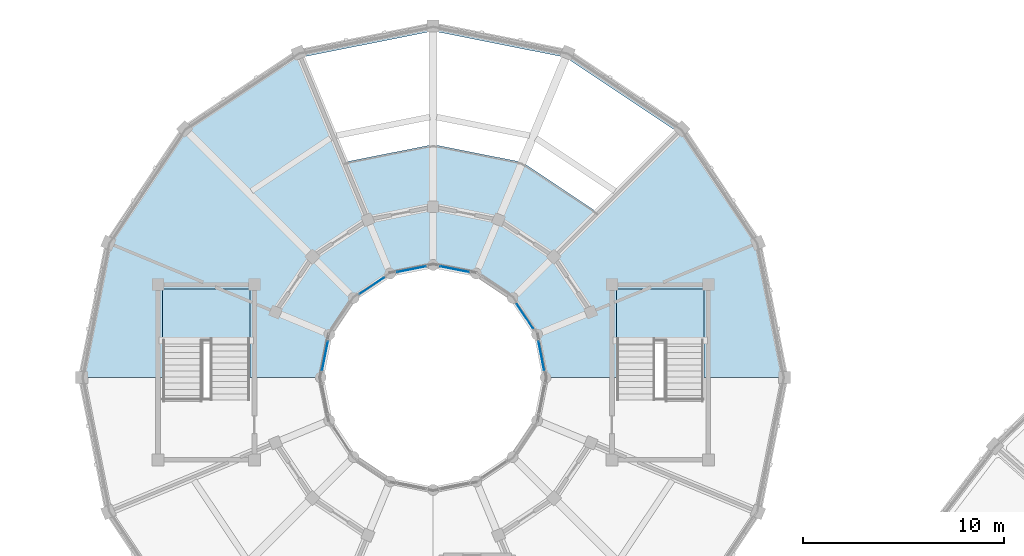
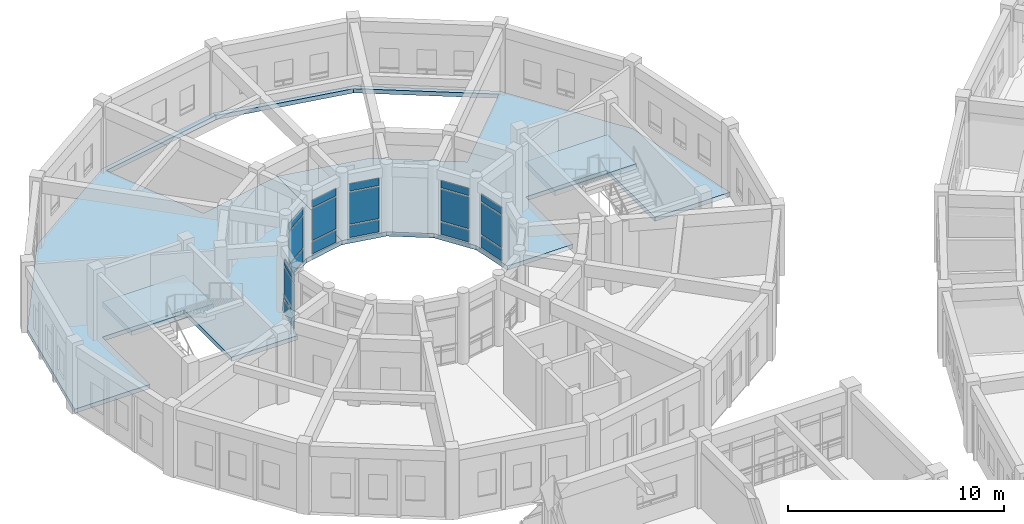
# One storey, part 110 of 159: 18 plates, 4 slabs, 8 elements without a shape of their own.
"""IFC4 building model written with IfcOpenShell, lengths in metres."""

from ifc_helpers import new_model, si_unit, direction, frame, origin, origin_2d, place, context, subcontext, project, spatial, polyline, rectangle, outline, extrude, material, layer, layer_set, type_object, element, aggregate, save


model = new_model("IFC4")

# Units and contexts
model_context = context("Model", 3, precision=1e-05, world=origin(), true_north=direction((0.0, 1.0)))
body_context = subcontext(model_context, "Body", "Model", "MODEL_VIEW")
ifc_project = project(units=[si_unit("LENGTHUNIT", "METRE"), si_unit("AREAUNIT", "SQUARE_METRE"), si_unit("VOLUMEUNIT", "CUBIC_METRE"), si_unit("PLANEANGLEUNIT", "RADIAN"), si_unit("MASSUNIT", "GRAM", prefix="KILO")], contexts=[model_context])

# Site, building, storey
site_placement = place(None, origin())
site = spatial("IfcSite", under=ifc_project, at=site_placement, CompositionType="ELEMENT")
building_placement = place(site_placement, origin())
building = spatial("IfcBuilding", under=site, at=building_placement, Name="Celadon Cloister-Ring School", CompositionType="ELEMENT")
storey_placement = place(building_placement, frame((0.0, 0.0, 4.5)))
storey = spatial("IfcBuildingStorey", under=building, at=storey_placement, Name="L01", CompositionType="ELEMENT", Elevation=4.5)

# Curtain wall, plates
ifc_material_1 = material(Name="Aluminium EN AW-6063 T6", Category="aluminium")
curtain_wall_type = type_object("IfcCurtainWallType", Name="CW-04", PredefinedType="USERDEFINED", material=ifc_material_1)
curtain_wall_1_placement = place(storey_placement, origin())
curtain_wall_1 = element("IfcCurtainWall", 1, at=curtain_wall_1_placement, inside=storey, type_object=curtain_wall_type, Name="Curtain Wall 0091", ObjectType="CURTAIN WALL", PredefinedType="USERDEFINED")
ifc_material_2 = material(Name="Tempered laminated insulating glass", Category="glass")
ifc_layer_1 = layer(ifc_material_2, 0.02001953125)
ifc_layer_set_1 = layer_set([ifc_layer_1], Name="Tempered laminated insulating glass")
plate_type = type_object("IfcPlateType", Name="CPN-01", PredefinedType="CURTAIN_PANEL", material=ifc_layer_set_1)
plate_1_placement = place(storey_placement, frame((25.5869140625, 98.071533203125, 0.090087890625), z_axis=(0.0, 0.0, 1.0), x_axis=(-0.194586131301, 0.980885435464, 0.0)))
plate_1 = element("IfcPlate", 2, at=plate_1_placement, type_object=plate_type, Name="CW-04 panel 1.1", PredefinedType="CURTAIN_PANEL", context=body_context, shape_type="SweptSolid", body=[
    extrude(rectangle(XDim=1.4443359375, YDim=0.02001953125, at=origin_2d()), origin(), (0.0, 0.0, 1.0), 0.6650390625),
])
plate_2_placement = place(storey_placement, frame((25.5869140625, 98.071533203125, 0.84521484375), z_axis=(0.0, 0.0, 1.0), x_axis=(-0.194586131301, 0.980885435464, 0.0)))
plate_2 = element("IfcPlate", 3, at=plate_2_placement, type_object=plate_type, Name="CW-04 panel 1.2", PredefinedType="CURTAIN_PANEL", context=body_context, shape_type="SweptSolid", body=[
    extrude(rectangle(XDim=1.4443359375, YDim=0.02001953125, at=origin_2d()), origin(), (0.0, 0.0, 1.0), 1.781982421875),
])
plate_3_placement = place(storey_placement, frame((25.5869140625, 98.071533203125, 2.717041015625), z_axis=(0.0, 0.0, 1.0), x_axis=(-0.194586131301, 0.980885435464, 0.0)))
plate_3 = element("IfcPlate", 4, at=plate_3_placement, type_object=plate_type, Name="CW-04 panel 1.3", PredefinedType="CURTAIN_PANEL", context=body_context, shape_type="SweptSolid", body=[
    extrude(rectangle(XDim=1.4443359375, YDim=0.02001953125, at=origin_2d()), origin(), (0.0, 0.0, 1.0), 0.4150390625),
])
aggregate(curtain_wall_1, [plate_1, plate_2, plate_3])

curtain_wall_2_placement = place(storey_placement, origin())
curtain_wall_2 = element("IfcCurtainWall", 5, at=curtain_wall_2_placement, inside=storey, type_object=curtain_wall_type, Name="Curtain Wall 0092", ObjectType="CURTAIN WALL", PredefinedType="USERDEFINED")
plate_4_placement = place(storey_placement, frame((24.76708984375, 100.051513671875, 0.090087890625), z_axis=(0.0, 0.0, 1.0), x_axis=(-0.555547066224, 0.831485091394, 0.0)))
plate_4 = element("IfcPlate", 6, at=plate_4_placement, type_object=plate_type, Name="CW-04 panel 1.1", PredefinedType="CURTAIN_PANEL", context=body_context, shape_type="SweptSolid", body=[
    extrude(rectangle(XDim=1.4443359375, YDim=0.02001953125, at=origin_2d()), origin(), (0.0, 0.0, 1.0), 0.6650390625),
])
plate_5_placement = place(storey_placement, frame((24.76708984375, 100.051513671875, 0.84521484375), z_axis=(0.0, 0.0, 1.0), x_axis=(-0.555547066224, 0.831485091394, 0.0)))
plate_5 = element("IfcPlate", 7, at=plate_5_placement, type_object=plate_type, Name="CW-04 panel 1.2", PredefinedType="CURTAIN_PANEL", context=body_context, shape_type="SweptSolid", body=[
    extrude(rectangle(XDim=1.4443359375, YDim=0.02001953125, at=origin_2d()), origin(), (0.0, 0.0, 1.0), 1.781982421875),
])
plate_6_placement = place(storey_placement, frame((24.76708984375, 100.051513671875, 2.717041015625), z_axis=(0.0, 0.0, 1.0), x_axis=(-0.555547066224, 0.831485091394, 0.0)))
plate_6 = element("IfcPlate", 8, at=plate_6_placement, type_object=plate_type, Name="CW-04 panel 1.3", PredefinedType="CURTAIN_PANEL", context=body_context, shape_type="SweptSolid", body=[
    extrude(rectangle(XDim=1.4443359375, YDim=0.02001953125, at=origin_2d()), origin(), (0.0, 0.0, 1.0), 0.4150390625),
])
aggregate(curtain_wall_2, [plate_4, plate_5, plate_6])

curtain_wall_3_placement = place(storey_placement, origin())
curtain_wall_3 = element("IfcCurtainWall", 9, at=curtain_wall_3_placement, inside=storey, type_object=curtain_wall_type, Name="Curtain Wall 0093", ObjectType="CURTAIN WALL", PredefinedType="USERDEFINED")
plate_7_placement = place(storey_placement, frame((21.271484375, 102.386962890625, 0.090087890625), z_axis=(0.0, 0.0, 1.0), x_axis=(-0.980885435464, 0.194586131301, 0.0)))
plate_7 = element("IfcPlate", 10, at=plate_7_placement, type_object=plate_type, Name="CW-04 panel 1.1", PredefinedType="CURTAIN_PANEL", context=body_context, shape_type="SweptSolid", body=[
    extrude(rectangle(XDim=1.4443359375, YDim=0.02001953125, at=origin_2d()), origin(), (0.0, 0.0, 1.0), 0.6650390625),
])
plate_8_placement = place(storey_placement, frame((21.271484375, 102.386962890625, 0.84521484375), z_axis=(0.0, 0.0, 1.0), x_axis=(-0.980885435464, 0.194586131301, 0.0)))
plate_8 = element("IfcPlate", 11, at=plate_8_placement, type_object=plate_type, Name="CW-04 panel 1.2", PredefinedType="CURTAIN_PANEL", context=body_context, shape_type="SweptSolid", body=[
    extrude(rectangle(XDim=1.4443359375, YDim=0.02001953125, at=origin_2d()), origin(), (0.0, 0.0, 1.0), 1.781982421875),
])
plate_9_placement = place(storey_placement, frame((21.271484375, 102.386962890625, 2.717041015625), z_axis=(0.0, 0.0, 1.0), x_axis=(-0.980885435464, 0.194586131301, 0.0)))
plate_9 = element("IfcPlate", 12, at=plate_9_placement, type_object=plate_type, Name="CW-04 panel 1.3", PredefinedType="CURTAIN_PANEL", context=body_context, shape_type="SweptSolid", body=[
    extrude(rectangle(XDim=1.4443359375, YDim=0.02001953125, at=origin_2d()), origin(), (0.0, 0.0, 1.0), 0.4150390625),
])
aggregate(curtain_wall_3, [plate_7, plate_8, plate_9])

curtain_wall_4_placement = place(storey_placement, origin())
curtain_wall_4 = element("IfcCurtainWall", 13, at=curtain_wall_4_placement, inside=storey, type_object=curtain_wall_type, Name="Curtain Wall 0094", ObjectType="CURTAIN WALL", PredefinedType="USERDEFINED")
plate_10_placement = place(storey_placement, frame((19.12841796875, 102.386962890625, 0.090087890625), z_axis=(0.0, 0.0, 1.0), x_axis=(-0.980885435464, -0.194586131301, 0.0)))
plate_10 = element("IfcPlate", 14, at=plate_10_placement, type_object=plate_type, Name="CW-04 panel 1.1", PredefinedType="CURTAIN_PANEL", context=body_context, shape_type="SweptSolid", body=[
    extrude(rectangle(XDim=1.4443359375, YDim=0.02001953125, at=origin_2d()), origin(), (0.0, 0.0, 1.0), 0.6650390625),
])
plate_11_placement = place(storey_placement, frame((19.12841796875, 102.386962890625, 0.84521484375), z_axis=(0.0, 0.0, 1.0), x_axis=(-0.980885435464, -0.194586131301, 0.0)))
plate_11 = element("IfcPlate", 15, at=plate_11_placement, type_object=plate_type, Name="CW-04 panel 1.2", PredefinedType="CURTAIN_PANEL", context=body_context, shape_type="SweptSolid", body=[
    extrude(rectangle(XDim=1.4443359375, YDim=0.02001953125, at=origin_2d()), origin(), (0.0, 0.0, 1.0), 1.781982421875),
])
plate_12_placement = place(storey_placement, frame((19.12841796875, 102.386962890625, 2.717041015625), z_axis=(0.0, 0.0, 1.0), x_axis=(-0.980885435464, -0.194586131301, 0.0)))
plate_12 = element("IfcPlate", 16, at=plate_12_placement, type_object=plate_type, Name="CW-04 panel 1.3", PredefinedType="CURTAIN_PANEL", context=body_context, shape_type="SweptSolid", body=[
    extrude(rectangle(XDim=1.4443359375, YDim=0.02001953125, at=origin_2d()), origin(), (0.0, 0.0, 1.0), 0.4150390625),
])
aggregate(curtain_wall_4, [plate_10, plate_11, plate_12])

curtain_wall_5_placement = place(storey_placement, origin())
curtain_wall_5 = element("IfcCurtainWall", 17, at=curtain_wall_5_placement, inside=storey, type_object=curtain_wall_type, Name="Curtain Wall 0095", ObjectType="CURTAIN WALL", PredefinedType="USERDEFINED")
plate_13_placement = place(storey_placement, frame((17.1484375, 101.56689453125, 0.090087890625), z_axis=(0.0, 0.0, 1.0), x_axis=(-0.831485091394, -0.555547066224, 0.0)))
plate_13 = element("IfcPlate", 18, at=plate_13_placement, type_object=plate_type, Name="CW-04 panel 1.1", PredefinedType="CURTAIN_PANEL", context=body_context, shape_type="SweptSolid", body=[
    extrude(rectangle(XDim=1.4443359375, YDim=0.02001953125, at=origin_2d()), origin(), (0.0, 0.0, 1.0), 0.6650390625),
])
plate_14_placement = place(storey_placement, frame((17.1484375, 101.56689453125, 0.84521484375), z_axis=(0.0, 0.0, 1.0), x_axis=(-0.831485091394, -0.555547066224, 0.0)))
plate_14 = element("IfcPlate", 19, at=plate_14_placement, type_object=plate_type, Name="CW-04 panel 1.2", PredefinedType="CURTAIN_PANEL", context=body_context, shape_type="SweptSolid", body=[
    extrude(rectangle(XDim=1.4443359375, YDim=0.02001953125, at=origin_2d()), origin(), (0.0, 0.0, 1.0), 1.781982421875),
])
plate_15_placement = place(storey_placement, frame((17.1484375, 101.56689453125, 2.717041015625), z_axis=(0.0, 0.0, 1.0), x_axis=(-0.831485091394, -0.555547066224, 0.0)))
plate_15 = element("IfcPlate", 20, at=plate_15_placement, type_object=plate_type, Name="CW-04 panel 1.3", PredefinedType="CURTAIN_PANEL", context=body_context, shape_type="SweptSolid", body=[
    extrude(rectangle(XDim=1.4443359375, YDim=0.02001953125, at=origin_2d()), origin(), (0.0, 0.0, 1.0), 0.4150390625),
])
aggregate(curtain_wall_5, [plate_13, plate_14, plate_15])

curtain_wall_6_placement = place(storey_placement, origin())
curtain_wall_6 = element("IfcCurtainWall", 21, at=curtain_wall_6_placement, inside=storey, type_object=curtain_wall_type, Name="Curtain Wall 0096", ObjectType="CURTAIN WALL", PredefinedType="USERDEFINED")
plate_16_placement = place(storey_placement, frame((14.81298828125, 98.071533203125, 0.090087890625), z_axis=(0.0, 0.0, 1.0), x_axis=(-0.194586131301, -0.980885435464, 0.0)))
plate_16 = element("IfcPlate", 22, at=plate_16_placement, type_object=plate_type, Name="CW-04 panel 1.1", PredefinedType="CURTAIN_PANEL", context=body_context, shape_type="SweptSolid", body=[
    extrude(rectangle(XDim=1.4443359375, YDim=0.02001953125, at=origin_2d()), origin(), (0.0, 0.0, 1.0), 0.6650390625),
])
plate_17_placement = place(storey_placement, frame((14.81298828125, 98.071533203125, 0.84521484375), z_axis=(0.0, 0.0, 1.0), x_axis=(-0.194586131301, -0.980885435464, 0.0)))
plate_17 = element("IfcPlate", 23, at=plate_17_placement, type_object=plate_type, Name="CW-04 panel 1.2", PredefinedType="CURTAIN_PANEL", context=body_context, shape_type="SweptSolid", body=[
    extrude(rectangle(XDim=1.4443359375, YDim=0.02001953125, at=origin_2d()), origin(), (0.0, 0.0, 1.0), 1.781982421875),
])
plate_18_placement = place(storey_placement, frame((14.81298828125, 98.071533203125, 2.717041015625), z_axis=(0.0, 0.0, 1.0), x_axis=(-0.194586131301, -0.980885435464, 0.0)))
plate_18 = element("IfcPlate", 24, at=plate_18_placement, type_object=plate_type, Name="CW-04 panel 1.3", PredefinedType="CURTAIN_PANEL", context=body_context, shape_type="SweptSolid", body=[
    extrude(rectangle(XDim=1.4443359375, YDim=0.02001953125, at=origin_2d()), origin(), (0.0, 0.0, 1.0), 0.4150390625),
])
aggregate(curtain_wall_6, [plate_16, plate_17, plate_18])

# Slabs
ifc_material_3 = material(Name="Concrete C35/45", Category="concrete")
ifc_layer_2 = layer(ifc_material_3, 0.239990234375)
ifc_layer_set_2 = layer_set([ifc_layer_2], Name="Concrete C35/45")
slab_type_1 = type_object("IfcSlabType", Name="SL-FL3", PredefinedType="FLOOR", material=ifc_layer_set_2)
slab_1_placement = place(storey_placement, frame((0.0, 0.0, -0.239990234375)))
element("IfcSlab", 25, at=slab_1_placement, inside=storey, type_object=slab_type_1, Name="V3 Ring L01 Sector 0033", PredefinedType="FLOOR", context=body_context, shape_type="SweptSolid", body=[
    extrude(outline(polyline([(20.199951171875, 114.5), (26.89697265625, 113.16796875), (32.573974609375, 109.3740234375), (36.367919921875, 103.697021484375), (37.699951171875, 97.0), (33.679931640625, 97.0), (33.679931640625, 101.39990234375), (29.320068359375, 101.39990234375), (29.320068359375, 97.0), (25.800048828125, 97.0), (25.3740234375, 99.14306640625), (24.159912109375, 100.9599609375), (22.343017578125, 102.174072265625), (20.199951171875, 102.60009765625), (20.199951171875, 108.60009765625), (24.638916015625, 107.717041015625), (28.402099609375, 105.201904296875), (32.39794921875, 109.197998046875), (26.801025390625, 112.93701171875), (20.199951171875, 114.25), (20.199951171875, 114.5)])), origin(), (0.0, 0.0, 1.0), 0.239990234375),
])
slab_2_placement = place(storey_placement, frame((0.0, 0.0, -0.239990234375)))
element("IfcSlab", 26, at=slab_2_placement, inside=storey, type_object=slab_type_1, Name="V3 Ring L01 Sector 0034", PredefinedType="FLOOR", context=body_context, shape_type="SweptSolid", body=[
    extrude(outline(polyline([(2.699951171875, 97.0), (4.031982421875, 103.697021484375), (7.825927734375, 109.3740234375), (13.5029296875, 113.16796875), (20.199951171875, 114.5), (20.199951171875, 114.25), (13.59912109375, 112.93701171875), (15.760986328125, 107.717041015625), (20.199951171875, 108.60009765625), (20.199951171875, 102.60009765625), (18.056884765625, 102.174072265625), (16.239990234375, 100.9599609375), (15.02587890625, 99.14306640625), (14.60009765625, 97.0), (11.080078125, 97.0), (11.080078125, 101.39990234375), (6.719970703125, 101.39990234375), (6.719970703125, 97.0), (2.699951171875, 97.0)])), origin(), (0.0, 0.0, 1.0), 0.239990234375),
])

# Stair, slab
ifc_material_4 = material(Name="Concrete C35/45", Category="concrete")
stair_type_1 = type_object("IfcStairType", Name="ST-02", PredefinedType="HALF_TURN_STAIR", material=ifc_material_4)
stair_1_placement = place(storey_placement, origin())
stair_1 = element("IfcStair", 27, at=stair_1_placement, inside=storey, type_object=stair_type_1, Name="Exit Stair ST-V3A L01", PredefinedType="HALF_TURN_STAIR")
ifc_material_5 = material(Name="Concrete C35/45", Category="concrete")
ifc_layer_3 = layer(ifc_material_5, 0.280029296875)
ifc_layer_set_3 = layer_set([ifc_layer_3], Name="Concrete C35/45")
slab_type_2 = type_object("IfcSlabType", Name="SL-LD1", PredefinedType="LANDING", material=ifc_layer_set_3)
slab_3_placement = place(storey_placement, frame((0.0, 0.0, 1.719970703125)))
slab_3 = element("IfcSlab", 28, at=slab_3_placement, type_object=slab_type_2, Name="ST-02 landing 1", PredefinedType="LANDING", context=body_context, shape_type="SweptSolid", body=[
    extrude(outline(polyline([(6.719970703125, 98.68994140625), (11.080078125, 98.68994140625), (11.080078125, 101.39990234375), (6.719970703125, 101.39990234375), (6.719970703125, 98.68994140625)])), origin(), (0.0, 0.0, 1.0), 0.280029296875),
])
aggregate(stair_1, [slab_3])

ifc_material_6 = material(Name="Concrete C35/45", Category="concrete")
stair_type_2 = type_object("IfcStairType", Name="ST-04", PredefinedType="HALF_TURN_STAIR", material=ifc_material_6)
stair_2_placement = place(storey_placement, origin())
stair_2 = element("IfcStair", 29, at=stair_2_placement, inside=storey, type_object=stair_type_2, Name="Exit Stair ST-V3B L01", PredefinedType="HALF_TURN_STAIR")
ifc_material_7 = material(Name="Concrete C35/45", Category="concrete")
ifc_layer_4 = layer(ifc_material_7, 0.300048828125)
ifc_layer_set_4 = layer_set([ifc_layer_4], Name="Concrete C35/45")
slab_type_3 = type_object("IfcSlabType", Name="SL-LD2", PredefinedType="LANDING", material=ifc_layer_set_4)
slab_4_placement = place(storey_placement, frame((0.0, 0.0, 1.699951171875)))
slab_4 = element("IfcSlab", 30, at=slab_4_placement, type_object=slab_type_3, Name="ST-04 landing 1", PredefinedType="LANDING", context=body_context, shape_type="SweptSolid", body=[
    extrude(outline(polyline([(29.320068359375, 98.68994140625), (33.679931640625, 98.68994140625), (33.679931640625, 101.39990234375), (29.320068359375, 101.39990234375), (29.320068359375, 98.68994140625)])), origin(), (0.0, 0.0, 1.0), 0.300048828125),
])
aggregate(stair_2, [slab_4])

save(model, "model.ifc")
